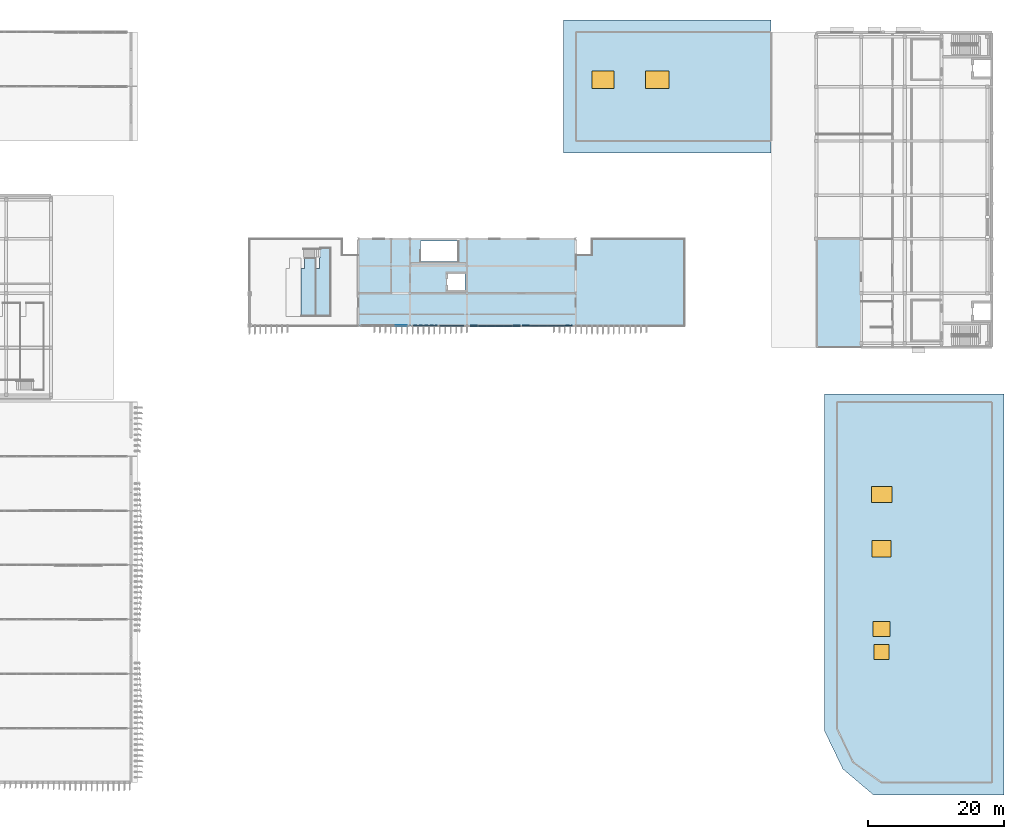
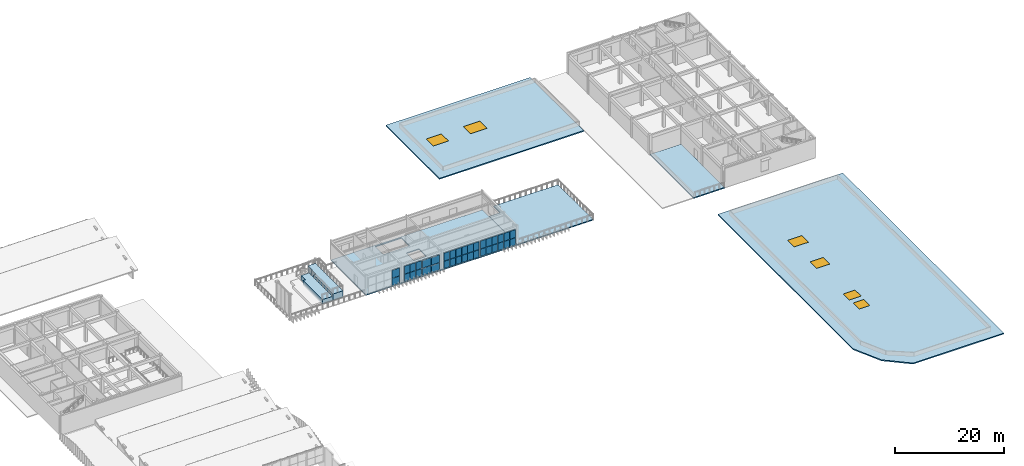
# One storey, part 23 of 45: 36 plates, 7 slabs, 6 windows, 6 openings, 5 elements without a shape of their own.
"""IFC4 building model written with IfcOpenShell, lengths in metres."""

import ifcopenshell
import ifcopenshell.guid

model = None  # the IFC model being written
_history = None  # IfcOwnerHistory: only IFC2X3 demands one
_inside = {}  # id of a spatial element -> (the spatial element, [elements in it])
_under = {}  # id of a project, library or spatial element -> (it, [spatial elements below it])
_declared = {}  # id of a project -> (the project, [libraries it declares])
_typed = {}  # id of a type object -> (the type object, [elements of that type])
_made_of = {}  # id of a material, layer set ... -> (it, [elements and type objects made of it])


def new_model(schema):
    """Start an empty IFC model of exactly this schema.

    Asked for "IFC4X3", IfcOpenShell would pick the latest addendum, in which some entities
    have other attributes; the version numbers below select the first issue.
    IFC2X3 requires an IfcOwnerHistory on every rooted entity: one is made here for all.
    """
    global model, _history
    if schema == "IFC4X3":
        model = ifcopenshell.file(schema_version=(4, 3, 0, 0))
    else:
        model = ifcopenshell.file(schema=schema)
    _inside.clear()
    _under.clear()
    _declared.clear()
    _typed.clear()
    _made_of.clear()
    _history = None
    if model.schema == "IFC2X3":
        org = make("IfcOrganization", Name="unknown")
        user = make(
            "IfcPersonAndOrganization",
            ThePerson=make("IfcPerson", FamilyName="unknown"),
            TheOrganization=org,
        )
        app = make(
            "IfcApplication",
            ApplicationDeveloper=org,
            Version="unknown",
            ApplicationFullName="unknown",
            ApplicationIdentifier="unknown",
        )
        _history = make(
            "IfcOwnerHistory",
            OwningUser=user,
            OwningApplication=app,
            ChangeAction="ADDED",
            CreationDate=0,
        )
    return model


def make(cls, **values):
    """One entity of the class cls with the attributes given. An attribute that is None is left unset."""
    return model.create_entity(
        cls, **{name: value for name, value in values.items() if value is not None}
    )


def rooted(cls, **values):
    """An entity with a GlobalId (a new one), such as an element, a storey or a relation."""
    return make(cls, GlobalId=ifcopenshell.guid.new(), OwnerHistory=_history, **values)


def si_unit(unit_type, name, prefix=None):
    """IfcSIUnit, for example si_unit("LENGTHUNIT", "METRE", prefix="MILLI")."""
    return make("IfcSIUnit", UnitType=unit_type, Prefix=prefix, Name=name)


def assignment(units):
    """IfcUnitAssignment: the units of a project."""
    return None if units is None else make("IfcUnitAssignment", Units=units)


def point(xyz):
    """IfcCartesianPoint."""
    return None if xyz is None else make("IfcCartesianPoint", Coordinates=xyz)


def direction(xyz):
    """IfcDirection."""
    return None if xyz is None else make("IfcDirection", DirectionRatios=xyz)


def frame(location, z_axis=None, x_axis=None):
    """IfcAxis2Placement3D, a coordinate frame: its origin and axes. An axis left out is left unset."""
    return make(
        "IfcAxis2Placement3D",
        Location=point(location),
        Axis=direction(z_axis),
        RefDirection=direction(x_axis),
    )


def frame_2d(location, x_axis=None):
    """IfcAxis2Placement2D, a coordinate frame in the plane: its origin and x axis."""
    return make(
        "IfcAxis2Placement2D", Location=point(location), RefDirection=direction(x_axis)
    )


def origin():
    """The frame at (0, 0, 0) with its axes left unset."""
    return frame((0.0, 0.0, 0.0))


def origin_2d():
    """The frame at (0, 0) in the plane with its x axis left unset."""
    return frame_2d((0.0, 0.0))


def place(relative_to, where):
    """IfcLocalPlacement: puts the frame where relative to a parent placement (None: the world)."""
    return make(
        "IfcLocalPlacement", PlacementRelTo=relative_to, RelativePlacement=where
    )


def context(
    kind, dimensions, precision=None, world=None, true_north=None, identifier=None
):
    """IfcGeometricRepresentationContext, for example the 3D "Model" context."""
    return make(
        "IfcGeometricRepresentationContext",
        ContextIdentifier=identifier,
        ContextType=kind,
        CoordinateSpaceDimension=dimensions,
        Precision=precision,
        WorldCoordinateSystem=world,
        TrueNorth=true_north,
    )


def subcontext(parent, identifier, kind, view, scale=None):
    """IfcGeometricRepresentationSubContext, for example "Body" below "Model"."""
    return make(
        "IfcGeometricRepresentationSubContext",
        ContextIdentifier=identifier,
        ContextType=kind,
        ParentContext=parent,
        TargetScale=scale,
        TargetView=view,
    )


def project(units=None, contexts=None):
    """IfcProject with its units and contexts."""
    return rooted(
        "IfcProject",
        Name="project",
        RepresentationContexts=contexts,
        UnitsInContext=assignment(units),
    )


def spatial(cls, under=None, at=None, **own):
    """A site, building, storey or space (cls), placed at a placement, below another one or the project."""
    s = rooted(cls, ObjectPlacement=at, **own)
    if under is not None:
        _under.setdefault(under.id(), (under, []))[1].append(s)
    return s


def polyline(points):
    """IfcPolyline through the points."""
    return make("IfcPolyline", Points=[point(p) for p in points])


def profile(cls, at=None, kind="AREA", **sizes):
    """A parametric profile (cls). Its sizes go by their IFC names, for example OverallWidth=200.0."""
    return make(cls, ProfileType=kind, Position=at, **sizes)


def rectangle(**sizes):
    """IfcRectangleProfileDef."""
    return profile("IfcRectangleProfileDef", **sizes)


def outline(outer, holes=None, kind="AREA"):
    """IfcArbitraryClosedProfileDef: a profile drawn as a closed curve; with holes, ...WithVoids."""
    if holes is None:
        return make("IfcArbitraryClosedProfileDef", ProfileType=kind, OuterCurve=outer)
    return make(
        "IfcArbitraryProfileDefWithVoids",
        ProfileType=kind,
        OuterCurve=outer,
        InnerCurves=holes,
    )


def extrude(swept, where, along, depth):
    """IfcExtrudedAreaSolid: the profile swept, set in the frame where, extruded along a direction by depth."""
    return make(
        "IfcExtrudedAreaSolid",
        SweptArea=swept,
        Position=where,
        ExtrudedDirection=direction(along),
        Depth=depth,
    )


def shape(context_of_items, identifier, shape_type, items):
    """IfcShapeRepresentation: the items that make up one representation, for example the "Body"."""
    return make(
        "IfcShapeRepresentation",
        ContextOfItems=context_of_items,
        RepresentationIdentifier=identifier,
        RepresentationType=shape_type,
        Items=items,
    )


def material(Name=None, Category=None):
    """IfcMaterial."""
    return make("IfcMaterial", Name=Name, Category=Category)


def layer(
    of_material, thickness, ventilated=None, Name=None, Category=None, Priority=None
):
    """IfcMaterialLayer: one layer of a wall or slab, of a material (None: an air gap)."""
    return make(
        "IfcMaterialLayer",
        Material=of_material,
        LayerThickness=thickness,
        IsVentilated=ventilated,
        Name=Name,
        Category=Category,
        Priority=Priority,
    )


def layer_set(layers, Name=None):
    """IfcMaterialLayerSet."""
    return make("IfcMaterialLayerSet", MaterialLayers=layers, LayerSetName=Name)


def made_of(thing, what):
    """Note that an element or type object is made of a material, layer set ...; save() writes the relation."""
    if what is not None:
        _made_of.setdefault(what.id(), (what, []))[1].append(thing)
    return thing


def type_object(cls, material=None, **own):
    """A type object (cls), such as IfcWallType, which elements share."""
    return made_of(rooted(cls, **own), material)


def element(
    cls,
    number,
    at=None,
    inside=None,
    cuts=None,
    type_object=None,
    material=None,
    context=None,
    identifier="Body",
    shape_type=None,
    held_by="IfcProductDefinitionShape",
    body=None,
    shapes=None,
    **own,
):
    """One element of the class cls, such as IfcWall. Its Tag is "e" and its number.

    at: its placement. inside: the storey or other place that contains it. cuts: it is an
    opening in that element (IfcRelVoidsElement). A single representation is given by context,
    identifier, shape_type and body (its items); several are given by shapes. held_by: the class
    of the entity that holds the representations. save() writes the other relations.
    """
    e = rooted(cls, Tag="e%d" % number, ObjectPlacement=at, **own)
    if body is not None:
        shapes = [shape(context, identifier, shape_type, body)]
    if shapes is not None:
        e.Representation = make(held_by, Representations=shapes)
    if inside is not None:
        _inside.setdefault(inside.id(), (inside, []))[1].append(e)
    if cuts is not None:
        rooted(
            "IfcRelVoidsElement", RelatingBuildingElement=cuts, RelatedOpeningElement=e
        )
    if type_object is not None:
        _typed.setdefault(type_object.id(), (type_object, []))[1].append(e)
    return made_of(e, material)


def fill(opening, filler):
    """IfcRelFillsElement: the door or window that sits in an opening."""
    return rooted(
        "IfcRelFillsElement",
        RelatingOpeningElement=opening,
        RelatedBuildingElement=filler,
    )


def aggregate(whole, parts):
    """IfcRelAggregates: a whole, such as a stair, and the parts it consists of."""
    return rooted("IfcRelAggregates", RelatingObject=whole, RelatedObjects=parts)


def save(model, path):
    """Write the relations noted so far, then the file.

    IfcRelAggregates (storeys below a building ...), IfcRelContainedInSpatialStructure (elements
    in a storey), IfcRelDefinesByType, IfcRelAssociatesMaterial and IfcRelDeclares: one each for
    every whole, place, type object, material and project.
    """
    for whole, parts in _under.values():
        aggregate(whole, parts)
    for where, things in _inside.values():
        rooted(
            "IfcRelContainedInSpatialStructure",
            RelatedElements=things,
            RelatingStructure=where,
        )
    for kind, things in _typed.values():
        rooted("IfcRelDefinesByType", RelatedObjects=things, RelatingType=kind)
    for what, things in _made_of.values():
        rooted("IfcRelAssociatesMaterial", RelatedObjects=things, RelatingMaterial=what)
    for by, libraries in _declared.values():
        rooted("IfcRelDeclares", RelatingContext=by, RelatedDefinitions=libraries)
    model.write(path)


model = new_model("IFC4")

# Units and contexts
model_context = context("Model", 3, precision=1e-05, world=origin(), true_north=direction((0.0, 1.0)))
body_context = subcontext(model_context, "Body", "Model", "MODEL_VIEW")
ifc_project = project(units=[si_unit("LENGTHUNIT", "METRE"), si_unit("AREAUNIT", "SQUARE_METRE"), si_unit("VOLUMEUNIT", "CUBIC_METRE"), si_unit("PLANEANGLEUNIT", "RADIAN"), si_unit("MASSUNIT", "GRAM", prefix="KILO")], contexts=[model_context])

# Site, building, storey
site_placement = place(None, origin())
site = spatial("IfcSite", under=ifc_project, at=site_placement, CompositionType="ELEMENT")
building_placement = place(site_placement, origin())
building = spatial("IfcBuilding", under=site, at=building_placement, Name="Cinchona Park Media Centre", CompositionType="ELEMENT")
storey_placement = place(building_placement, frame((0.0, 0.0, 20.39990234375)))
storey = spatial("IfcBuildingStorey", under=building, at=storey_placement, Name="L04", CompositionType="ELEMENT", Elevation=20.39990234375)

# Curtain wall, plates
ifc_material_1 = material(Name="Aluminium Curtain Wall Framing", Category="aluminium")
ifc_layer_1 = layer(ifc_material_1, 0.284912109375)
ifc_layer_set_1 = layer_set([ifc_layer_1], Name="Aluminium Curtain Wall Framing")
curtain_wall_type_1 = type_object("IfcCurtainWallType", Name="CW-CW08", PredefinedType="USERDEFINED", material=ifc_layer_set_1)
curtain_wall_1_placement = place(storey_placement, origin())
curtain_wall_1 = element("IfcCurtainWall", 1, at=curtain_wall_1_placement, inside=storey, type_object=curtain_wall_type_1, Name="Curtain Wall CW08 L04", ObjectType="UNITISED CURTAIN WALL", PredefinedType="USERDEFINED")
ifc_material_2 = material(Name="Insulated Acoustic Aluminium-Glass Spandrel Cassette", Category="aluminium")
ifc_layer_2 = layer(ifc_material_2, 0.1298828125)
ifc_layer_set_2 = layer_set([ifc_layer_2], Name="Insulated Acoustic Aluminium-Glass Spandrel Cassette")
plate_type_1 = type_object("IfcPlateType", Name="CWPANEL-PNL12", PredefinedType="CURTAIN_PANEL", material=ifc_layer_set_2)
plate_1_placement = place(storey_placement, frame((85.117431640625, 74.800048828125, 0.1201171875), z_axis=(0.0, 0.0, 1.0), x_axis=(-1.0, 0.0, 0.0)))
plate_1 = element("IfcPlate", 2, at=plate_1_placement, type_object=plate_type_1, Name="CW08 panel 1.1", PredefinedType="CURTAIN_PANEL", context=body_context, shape_type="SweptSolid", body=[
    extrude(rectangle(XDim=1.5849609375, YDim=0.1298828125, at=origin_2d()), origin(), (0.0, 0.0, 1.0), 1.60888671875),
])
plate_2_placement = place(storey_placement, frame((85.117431640625, 74.800048828125, 1.799072265625), z_axis=(0.0, 0.0, 1.0), x_axis=(-1.0, 0.0, 0.0)))
plate_2 = element("IfcPlate", 3, at=plate_2_placement, type_object=plate_type_1, Name="CW08 panel 1.2", PredefinedType="CURTAIN_PANEL", context=body_context, shape_type="SweptSolid", body=[
    extrude(rectangle(XDim=1.5849609375, YDim=0.1298828125, at=origin_2d()), origin(), (0.0, 0.0, 1.0), 1.7509765625),
])
aggregate(curtain_wall_1, [plate_1, plate_2])

ifc_material_3 = material(Name="Aluminium Curtain Wall Framing", Category="aluminium")
ifc_layer_3 = layer(ifc_material_3, 0.300048828125)
ifc_layer_set_3 = layer_set([ifc_layer_3], Name="Aluminium Curtain Wall Framing")
curtain_wall_type_2 = type_object("IfcCurtainWallType", Name="CW-CW09", PredefinedType="USERDEFINED", material=ifc_layer_set_3)
curtain_wall_2_placement = place(storey_placement, origin())
curtain_wall_2 = element("IfcCurtainWall", 4, at=curtain_wall_2_placement, inside=storey, type_object=curtain_wall_type_2, Name="Curtain Wall CW09 L04", ObjectType="UNITISED CURTAIN WALL", PredefinedType="USERDEFINED")
ifc_material_4 = material(Name="Insulated Acoustic Aluminium-Glass Spandrel Cassette", Category="aluminium")
ifc_layer_4 = layer(ifc_material_4, 0.14990234375)
ifc_layer_set_4 = layer_set([ifc_layer_4], Name="Insulated Acoustic Aluminium-Glass Spandrel Cassette")
plate_type_2 = type_object("IfcPlateType", Name="CWPANEL-PNL14", PredefinedType="CURTAIN_PANEL", material=ifc_layer_set_4)
plate_3_placement = place(storey_placement, frame((93.436279296875, 74.800048828125, 0.125), z_axis=(0.0, 0.0, 1.0), x_axis=(-1.0, 0.0, 0.0)))
plate_3 = element("IfcPlate", 5, at=plate_3_placement, type_object=plate_type_2, Name="CW09 panel 1.1", PredefinedType="CURTAIN_PANEL", context=body_context, shape_type="SweptSolid", body=[
    extrude(rectangle(XDim=1.737548828125, YDim=0.14990234375, at=origin_2d()), origin(), (0.0, 0.0, 1.0), 1.6015625),
])
plate_4_placement = place(storey_placement, frame((93.436279296875, 74.800048828125, 1.8017578125), z_axis=(0.0, 0.0, 1.0), x_axis=(-1.0, 0.0, 0.0)))
plate_4 = element("IfcPlate", 6, at=plate_4_placement, type_object=plate_type_2, Name="CW09 panel 1.2", PredefinedType="CURTAIN_PANEL", context=body_context, shape_type="SweptSolid", body=[
    extrude(rectangle(XDim=1.737548828125, YDim=0.14990234375, at=origin_2d()), origin(), (0.0, 0.0, 1.0), 1.743408203125),
])
plate_5_placement = place(storey_placement, frame((91.623779296875, 74.800048828125, 0.125), z_axis=(0.0, 0.0, 1.0), x_axis=(-1.0, 0.0, 0.0)))
plate_5 = element("IfcPlate", 7, at=plate_5_placement, type_object=plate_type_2, Name="CW09 panel 2.1", PredefinedType="CURTAIN_PANEL", context=body_context, shape_type="SweptSolid", body=[
    extrude(rectangle(XDim=1.737548828125, YDim=0.14990234375, at=origin_2d()), origin(), (0.0, 0.0, 1.0), 1.6015625),
])
plate_6_placement = place(storey_placement, frame((91.623779296875, 74.800048828125, 1.8017578125), z_axis=(0.0, 0.0, 1.0), x_axis=(-1.0, 0.0, 0.0)))
plate_6 = element("IfcPlate", 8, at=plate_6_placement, type_object=plate_type_2, Name="CW09 panel 2.2", PredefinedType="CURTAIN_PANEL", context=body_context, shape_type="SweptSolid", body=[
    extrude(rectangle(XDim=1.737548828125, YDim=0.14990234375, at=origin_2d()), origin(), (0.0, 0.0, 1.0), 1.743408203125),
])
aggregate(curtain_wall_2, [plate_3, plate_4, plate_5, plate_6])

ifc_material_5 = material(Name="Aluminium Curtain Wall Framing", Category="aluminium")
ifc_layer_5 = layer(ifc_material_5, 0.179931640625)
ifc_layer_set_5 = layer_set([ifc_layer_5], Name="Aluminium Curtain Wall Framing")
curtain_wall_type_3 = type_object("IfcCurtainWallType", Name="CW-CW01", PredefinedType="USERDEFINED", material=ifc_layer_set_5)
curtain_wall_3_placement = place(storey_placement, origin())
curtain_wall_3 = element("IfcCurtainWall", 9, at=curtain_wall_3_placement, inside=storey, type_object=curtain_wall_type_3, Name="Curtain Wall CW01 L04", ObjectType="UNITISED CURTAIN WALL", PredefinedType="USERDEFINED")
ifc_material_6 = material(Name="Insulated Acoustic Aluminium-Glass Spandrel Cassette", Category="aluminium")
ifc_layer_6 = layer(ifc_material_6, 0.169921875)
ifc_layer_set_6 = layer_set([ifc_layer_6], Name="Insulated Acoustic Aluminium-Glass Spandrel Cassette")
plate_type_3 = type_object("IfcPlateType", Name="CWPANEL-PNL16", PredefinedType="CURTAIN_PANEL", material=ifc_layer_set_6)
plate_7_placement = place(storey_placement, frame((89.884521484375, 74.800048828125, 0.125), z_axis=(0.0, 0.0, 1.0), x_axis=(-1.0, 0.0, 0.0)))
plate_7 = element("IfcPlate", 10, at=plate_7_placement, type_object=plate_type_3, Name="CW01 panel 1.1", PredefinedType="CURTAIN_PANEL", context=body_context, shape_type="SweptSolid", body=[
    extrude(rectangle(XDim=1.120849609375, YDim=0.169921875, at=origin_2d()), origin(), (0.0, 0.0, 1.0), 1.6015625),
])
plate_8_placement = place(storey_placement, frame((89.884521484375, 74.800048828125, 1.8017578125), z_axis=(0.0, 0.0, 1.0), x_axis=(-1.0, 0.0, 0.0)))
plate_8 = element("IfcPlate", 11, at=plate_8_placement, type_object=plate_type_3, Name="CW01 panel 1.2", PredefinedType="CURTAIN_PANEL", context=body_context, shape_type="SweptSolid", body=[
    extrude(rectangle(XDim=1.120849609375, YDim=0.169921875, at=origin_2d()), origin(), (0.0, 0.0, 1.0), 1.743408203125),
])
plate_9_placement = place(storey_placement, frame((88.669921875, 74.800048828125, 0.125), z_axis=(0.0, 0.0, 1.0), x_axis=(-1.0, 0.0, 0.0)))
plate_9 = element("IfcPlate", 12, at=plate_9_placement, type_object=plate_type_3, Name="CW01 panel 2.1", PredefinedType="CURTAIN_PANEL", context=body_context, shape_type="SweptSolid", body=[
    extrude(rectangle(XDim=1.158447265625, YDim=0.169921875, at=origin_2d()), origin(), (0.0, 0.0, 1.0), 1.6015625),
])
plate_10_placement = place(storey_placement, frame((88.669921875, 74.800048828125, 1.8017578125), z_axis=(0.0, 0.0, 1.0), x_axis=(-1.0, 0.0, 0.0)))
plate_10 = element("IfcPlate", 13, at=plate_10_placement, type_object=plate_type_3, Name="CW01 panel 2.2", PredefinedType="CURTAIN_PANEL", context=body_context, shape_type="SweptSolid", body=[
    extrude(rectangle(XDim=1.158447265625, YDim=0.169921875, at=origin_2d()), origin(), (0.0, 0.0, 1.0), 1.743408203125),
])
plate_11_placement = place(storey_placement, frame((87.455322265625, 74.800048828125, 0.125), z_axis=(0.0, 0.0, 1.0), x_axis=(-1.0, 0.0, 0.0)))
plate_11 = element("IfcPlate", 14, at=plate_11_placement, type_object=plate_type_3, Name="CW01 panel 3.1", PredefinedType="CURTAIN_PANEL", context=body_context, shape_type="SweptSolid", body=[
    extrude(rectangle(XDim=1.120849609375, YDim=0.169921875, at=origin_2d()), origin(), (0.0, 0.0, 1.0), 1.6015625),
])
plate_12_placement = place(storey_placement, frame((87.455322265625, 74.800048828125, 1.8017578125), z_axis=(0.0, 0.0, 1.0), x_axis=(-1.0, 0.0, 0.0)))
plate_12 = element("IfcPlate", 15, at=plate_12_placement, type_object=plate_type_3, Name="CW01 panel 3.2", PredefinedType="CURTAIN_PANEL", context=body_context, shape_type="SweptSolid", body=[
    extrude(rectangle(XDim=1.120849609375, YDim=0.169921875, at=origin_2d()), origin(), (0.0, 0.0, 1.0), 1.743408203125),
])
aggregate(curtain_wall_3, [plate_7, plate_8, plate_9, plate_10, plate_11, plate_12])

ifc_material_7 = material(Name="Aluminium Curtain Wall Framing", Category="aluminium")
ifc_layer_7 = layer(ifc_material_7, 0.195068359375)
ifc_layer_set_7 = layer_set([ifc_layer_7], Name="Aluminium Curtain Wall Framing")
curtain_wall_type_4 = type_object("IfcCurtainWallType", Name="CW-CW02", PredefinedType="USERDEFINED", material=ifc_layer_set_7)
curtain_wall_4_placement = place(storey_placement, origin())
curtain_wall_4 = element("IfcCurtainWall", 16, at=curtain_wall_4_placement, inside=storey, type_object=curtain_wall_type_4, Name="Curtain Wall CW02 L04", ObjectType="UNITISED CURTAIN WALL", PredefinedType="USERDEFINED")
ifc_material_8 = material(Name="Insulated Acoustic Aluminium-Glass Spandrel Cassette", Category="aluminium")
ifc_layer_8 = layer(ifc_material_8, 0.179931640625)
ifc_layer_set_8 = layer_set([ifc_layer_8], Name="Insulated Acoustic Aluminium-Glass Spandrel Cassette")
plate_type_4 = type_object("IfcPlateType", Name="CWPANEL-PNL17", PredefinedType="CURTAIN_PANEL", material=ifc_layer_set_8)
plate_13_placement = place(storey_placement, frame((109.737548828125, 74.800048828125, 0.1201171875), z_axis=(0.0, 0.0, 1.0), x_axis=(-1.0, 0.0, 0.0)))
plate_13 = element("IfcPlate", 17, at=plate_13_placement, type_object=plate_type_4, Name="CW02 panel 1.1", PredefinedType="CURTAIN_PANEL", context=body_context, shape_type="SweptSolid", body=[
    extrude(rectangle(XDim=1.14501953125, YDim=0.179931640625, at=origin_2d()), origin(), (0.0, 0.0, 1.0), 1.60888671875),
])
plate_14_placement = place(storey_placement, frame((109.737548828125, 74.800048828125, 1.799072265625), z_axis=(0.0, 0.0, 1.0), x_axis=(-1.0, 0.0, 0.0)))
plate_14 = element("IfcPlate", 18, at=plate_14_placement, type_object=plate_type_4, Name="CW02 panel 1.2", PredefinedType="CURTAIN_PANEL", context=body_context, shape_type="SweptSolid", body=[
    extrude(rectangle(XDim=1.14501953125, YDim=0.179931640625, at=origin_2d()), origin(), (0.0, 0.0, 1.0), 1.7509765625),
])
plate_15_placement = place(storey_placement, frame((108.5048828125, 74.800048828125, 0.1201171875), z_axis=(0.0, 0.0, 1.0), x_axis=(-1.0, 0.0, 0.0)))
plate_15 = element("IfcPlate", 19, at=plate_15_placement, type_object=plate_type_4, Name="CW02 panel 2.1", PredefinedType="CURTAIN_PANEL", context=body_context, shape_type="SweptSolid", body=[
    extrude(rectangle(XDim=1.179931640625, YDim=0.179931640625, at=origin_2d()), origin(), (0.0, 0.0, 1.0), 1.60888671875),
])
plate_16_placement = place(storey_placement, frame((108.5048828125, 74.800048828125, 1.799072265625), z_axis=(0.0, 0.0, 1.0), x_axis=(-1.0, 0.0, 0.0)))
plate_16 = element("IfcPlate", 20, at=plate_16_placement, type_object=plate_type_4, Name="CW02 panel 2.2", PredefinedType="CURTAIN_PANEL", context=body_context, shape_type="SweptSolid", body=[
    extrude(rectangle(XDim=1.179931640625, YDim=0.179931640625, at=origin_2d()), origin(), (0.0, 0.0, 1.0), 1.7509765625),
])
plate_17_placement = place(storey_placement, frame((107.2548828125, 74.800048828125, 0.1201171875), z_axis=(0.0, 0.0, 1.0), x_axis=(-1.0, 0.0, 0.0)))
plate_17 = element("IfcPlate", 21, at=plate_17_placement, type_object=plate_type_4, Name="CW02 panel 3.1", PredefinedType="CURTAIN_PANEL", context=body_context, shape_type="SweptSolid", body=[
    extrude(rectangle(XDim=1.179931640625, YDim=0.179931640625, at=origin_2d()), origin(), (0.0, 0.0, 1.0), 1.60888671875),
])
plate_18_placement = place(storey_placement, frame((107.2548828125, 74.800048828125, 1.799072265625), z_axis=(0.0, 0.0, 1.0), x_axis=(-1.0, 0.0, 0.0)))
plate_18 = element("IfcPlate", 22, at=plate_18_placement, type_object=plate_type_4, Name="CW02 panel 3.2", PredefinedType="CURTAIN_PANEL", context=body_context, shape_type="SweptSolid", body=[
    extrude(rectangle(XDim=1.179931640625, YDim=0.179931640625, at=origin_2d()), origin(), (0.0, 0.0, 1.0), 1.7509765625),
])
plate_19_placement = place(storey_placement, frame((106.0048828125, 74.800048828125, 0.1201171875), z_axis=(0.0, 0.0, 1.0), x_axis=(-1.0, 0.0, 0.0)))
plate_19 = element("IfcPlate", 23, at=plate_19_placement, type_object=plate_type_4, Name="CW02 panel 4.1", PredefinedType="CURTAIN_PANEL", context=body_context, shape_type="SweptSolid", body=[
    extrude(rectangle(XDim=1.179931640625, YDim=0.179931640625, at=origin_2d()), origin(), (0.0, 0.0, 1.0), 1.60888671875),
])
plate_20_placement = place(storey_placement, frame((106.0048828125, 74.800048828125, 1.799072265625), z_axis=(0.0, 0.0, 1.0), x_axis=(-1.0, 0.0, 0.0)))
plate_20 = element("IfcPlate", 24, at=plate_20_placement, type_object=plate_type_4, Name="CW02 panel 4.2", PredefinedType="CURTAIN_PANEL", context=body_context, shape_type="SweptSolid", body=[
    extrude(rectangle(XDim=1.179931640625, YDim=0.179931640625, at=origin_2d()), origin(), (0.0, 0.0, 1.0), 1.7509765625),
])
plate_21_placement = place(storey_placement, frame((104.7548828125, 74.800048828125, 0.1201171875), z_axis=(0.0, 0.0, 1.0), x_axis=(-1.0, 0.0, 0.0)))
plate_21 = element("IfcPlate", 25, at=plate_21_placement, type_object=plate_type_4, Name="CW02 panel 5.1", PredefinedType="CURTAIN_PANEL", context=body_context, shape_type="SweptSolid", body=[
    extrude(rectangle(XDim=1.179931640625, YDim=0.179931640625, at=origin_2d()), origin(), (0.0, 0.0, 1.0), 1.60888671875),
])
plate_22_placement = place(storey_placement, frame((104.7548828125, 74.800048828125, 1.799072265625), z_axis=(0.0, 0.0, 1.0), x_axis=(-1.0, 0.0, 0.0)))
plate_22 = element("IfcPlate", 26, at=plate_22_placement, type_object=plate_type_4, Name="CW02 panel 5.2", PredefinedType="CURTAIN_PANEL", context=body_context, shape_type="SweptSolid", body=[
    extrude(rectangle(XDim=1.179931640625, YDim=0.179931640625, at=origin_2d()), origin(), (0.0, 0.0, 1.0), 1.7509765625),
])
plate_23_placement = place(storey_placement, frame((103.5224609375, 74.800048828125, 0.1201171875), z_axis=(0.0, 0.0, 1.0), x_axis=(-1.0, 0.0, 0.0)))
plate_23 = element("IfcPlate", 27, at=plate_23_placement, type_object=plate_type_4, Name="CW02 panel 6.1", PredefinedType="CURTAIN_PANEL", context=body_context, shape_type="SweptSolid", body=[
    extrude(rectangle(XDim=1.14501953125, YDim=0.179931640625, at=origin_2d()), origin(), (0.0, 0.0, 1.0), 1.60888671875),
])
plate_24_placement = place(storey_placement, frame((103.5224609375, 74.800048828125, 1.799072265625), z_axis=(0.0, 0.0, 1.0), x_axis=(-1.0, 0.0, 0.0)))
plate_24 = element("IfcPlate", 28, at=plate_24_placement, type_object=plate_type_4, Name="CW02 panel 6.2", PredefinedType="CURTAIN_PANEL", context=body_context, shape_type="SweptSolid", body=[
    extrude(rectangle(XDim=1.14501953125, YDim=0.179931640625, at=origin_2d()), origin(), (0.0, 0.0, 1.0), 1.7509765625),
])
aggregate(curtain_wall_4, [plate_13, plate_14, plate_15, plate_16, plate_17, plate_18, plate_19, plate_20, plate_21, plate_22, plate_23, plate_24])

ifc_material_9 = material(Name="Aluminium Curtain Wall Framing", Category="aluminium")
ifc_layer_9 = layer(ifc_material_9, 0.2099609375)
ifc_layer_set_9 = layer_set([ifc_layer_9], Name="Aluminium Curtain Wall Framing")
curtain_wall_type_5 = type_object("IfcCurtainWallType", Name="CW-CW03", PredefinedType="USERDEFINED", material=ifc_layer_set_9)
curtain_wall_5_placement = place(storey_placement, origin())
curtain_wall_5 = element("IfcCurtainWall", 29, at=curtain_wall_5_placement, inside=storey, type_object=curtain_wall_type_5, Name="Curtain Wall CW03 L04", ObjectType="UNITISED CURTAIN WALL", PredefinedType="USERDEFINED")
ifc_material_10 = material(Name="Insulated Acoustic Aluminium-Glass Spandrel Cassette", Category="aluminium")
ifc_layer_10 = layer(ifc_material_10, 0.199951171875)
ifc_layer_set_10 = layer_set([ifc_layer_10], Name="Insulated Acoustic Aluminium-Glass Spandrel Cassette")
plate_type_5 = type_object("IfcPlateType", Name="CWPANEL-PNL19", PredefinedType="CURTAIN_PANEL", material=ifc_layer_set_10)
plate_25_placement = place(storey_placement, frame((102.077392578125, 74.800048828125, 0.1201171875), z_axis=(0.0, 0.0, 1.0), x_axis=(-1.0, 0.0, 0.0)))
plate_25 = element("IfcPlate", 30, at=plate_25_placement, type_object=plate_type_5, Name="CW03 panel 1.1", PredefinedType="CURTAIN_PANEL", context=body_context, shape_type="SweptSolid", body=[
    extrude(rectangle(XDim=1.14501953125, YDim=0.199951171875, at=origin_2d()), origin(), (0.0, 0.0, 1.0), 1.60888671875),
])
plate_26_placement = place(storey_placement, frame((102.077392578125, 74.800048828125, 1.799072265625), z_axis=(0.0, 0.0, 1.0), x_axis=(-1.0, 0.0, 0.0)))
plate_26 = element("IfcPlate", 31, at=plate_26_placement, type_object=plate_type_5, Name="CW03 panel 1.2", PredefinedType="CURTAIN_PANEL", context=body_context, shape_type="SweptSolid", body=[
    extrude(rectangle(XDim=1.14501953125, YDim=0.199951171875, at=origin_2d()), origin(), (0.0, 0.0, 1.0), 1.7509765625),
])
plate_27_placement = place(storey_placement, frame((100.844970703125, 74.800048828125, 0.1201171875), z_axis=(0.0, 0.0, 1.0), x_axis=(-1.0, 0.0, 0.0)))
plate_27 = element("IfcPlate", 32, at=plate_27_placement, type_object=plate_type_5, Name="CW03 panel 2.1", PredefinedType="CURTAIN_PANEL", context=body_context, shape_type="SweptSolid", body=[
    extrude(rectangle(XDim=1.179931640625, YDim=0.199951171875, at=origin_2d()), origin(), (0.0, 0.0, 1.0), 1.60888671875),
])
plate_28_placement = place(storey_placement, frame((100.844970703125, 74.800048828125, 1.799072265625), z_axis=(0.0, 0.0, 1.0), x_axis=(-1.0, 0.0, 0.0)))
plate_28 = element("IfcPlate", 33, at=plate_28_placement, type_object=plate_type_5, Name="CW03 panel 2.2", PredefinedType="CURTAIN_PANEL", context=body_context, shape_type="SweptSolid", body=[
    extrude(rectangle(XDim=1.179931640625, YDim=0.199951171875, at=origin_2d()), origin(), (0.0, 0.0, 1.0), 1.7509765625),
])
plate_29_placement = place(storey_placement, frame((99.594970703125, 74.800048828125, 0.1201171875), z_axis=(0.0, 0.0, 1.0), x_axis=(-1.0, 0.0, 0.0)))
plate_29 = element("IfcPlate", 34, at=plate_29_placement, type_object=plate_type_5, Name="CW03 panel 3.1", PredefinedType="CURTAIN_PANEL", context=body_context, shape_type="SweptSolid", body=[
    extrude(rectangle(XDim=1.179931640625, YDim=0.199951171875, at=origin_2d()), origin(), (0.0, 0.0, 1.0), 1.60888671875),
])
plate_30_placement = place(storey_placement, frame((99.594970703125, 74.800048828125, 1.799072265625), z_axis=(0.0, 0.0, 1.0), x_axis=(-1.0, 0.0, 0.0)))
plate_30 = element("IfcPlate", 35, at=plate_30_placement, type_object=plate_type_5, Name="CW03 panel 3.2", PredefinedType="CURTAIN_PANEL", context=body_context, shape_type="SweptSolid", body=[
    extrude(rectangle(XDim=1.179931640625, YDim=0.199951171875, at=origin_2d()), origin(), (0.0, 0.0, 1.0), 1.7509765625),
])
plate_31_placement = place(storey_placement, frame((98.344970703125, 74.800048828125, 0.1201171875), z_axis=(0.0, 0.0, 1.0), x_axis=(-1.0, 0.0, 0.0)))
plate_31 = element("IfcPlate", 36, at=plate_31_placement, type_object=plate_type_5, Name="CW03 panel 4.1", PredefinedType="CURTAIN_PANEL", context=body_context, shape_type="SweptSolid", body=[
    extrude(rectangle(XDim=1.179931640625, YDim=0.199951171875, at=origin_2d()), origin(), (0.0, 0.0, 1.0), 1.60888671875),
])
plate_32_placement = place(storey_placement, frame((98.344970703125, 74.800048828125, 1.799072265625), z_axis=(0.0, 0.0, 1.0), x_axis=(-1.0, 0.0, 0.0)))
plate_32 = element("IfcPlate", 37, at=plate_32_placement, type_object=plate_type_5, Name="CW03 panel 4.2", PredefinedType="CURTAIN_PANEL", context=body_context, shape_type="SweptSolid", body=[
    extrude(rectangle(XDim=1.179931640625, YDim=0.199951171875, at=origin_2d()), origin(), (0.0, 0.0, 1.0), 1.7509765625),
])
plate_33_placement = place(storey_placement, frame((97.094970703125, 74.800048828125, 0.1201171875), z_axis=(0.0, 0.0, 1.0), x_axis=(-1.0, 0.0, 0.0)))
plate_33 = element("IfcPlate", 38, at=plate_33_placement, type_object=plate_type_5, Name="CW03 panel 5.1", PredefinedType="CURTAIN_PANEL", context=body_context, shape_type="SweptSolid", body=[
    extrude(rectangle(XDim=1.179931640625, YDim=0.199951171875, at=origin_2d()), origin(), (0.0, 0.0, 1.0), 1.60888671875),
])
plate_34_placement = place(storey_placement, frame((97.094970703125, 74.800048828125, 1.799072265625), z_axis=(0.0, 0.0, 1.0), x_axis=(-1.0, 0.0, 0.0)))
plate_34 = element("IfcPlate", 39, at=plate_34_placement, type_object=plate_type_5, Name="CW03 panel 5.2", PredefinedType="CURTAIN_PANEL", context=body_context, shape_type="SweptSolid", body=[
    extrude(rectangle(XDim=1.179931640625, YDim=0.199951171875, at=origin_2d()), origin(), (0.0, 0.0, 1.0), 1.7509765625),
])
plate_35_placement = place(storey_placement, frame((95.862548828125, 74.800048828125, 0.1201171875), z_axis=(0.0, 0.0, 1.0), x_axis=(-1.0, 0.0, 0.0)))
plate_35 = element("IfcPlate", 40, at=plate_35_placement, type_object=plate_type_5, Name="CW03 panel 6.1", PredefinedType="CURTAIN_PANEL", context=body_context, shape_type="SweptSolid", body=[
    extrude(rectangle(XDim=1.14501953125, YDim=0.199951171875, at=origin_2d()), origin(), (0.0, 0.0, 1.0), 1.60888671875),
])
plate_36_placement = place(storey_placement, frame((95.862548828125, 74.800048828125, 1.799072265625), z_axis=(0.0, 0.0, 1.0), x_axis=(-1.0, 0.0, 0.0)))
plate_36 = element("IfcPlate", 41, at=plate_36_placement, type_object=plate_type_5, Name="CW03 panel 6.2", PredefinedType="CURTAIN_PANEL", context=body_context, shape_type="SweptSolid", body=[
    extrude(rectangle(XDim=1.14501953125, YDim=0.199951171875, at=origin_2d()), origin(), (0.0, 0.0, 1.0), 1.7509765625),
])
aggregate(curtain_wall_5, [plate_25, plate_26, plate_27, plate_28, plate_29, plate_30, plate_31, plate_32, plate_33, plate_34, plate_35, plate_36])

# Slab, openings, windows
ifc_material_11 = material(Name="Concrete C35/45", Category="concrete")
ifc_layer_11 = layer(ifc_material_11, 0.2451171875)
ifc_layer_set_11 = layer_set([ifc_layer_11], Name="Concrete C35/45")
slab_type_1 = type_object("IfcSlabType", Name="SLAB-RS01-245", PredefinedType="ROOF", material=ifc_layer_set_11)
slab_1_placement = place(storey_placement, frame((0.0, 0.0, -0.244873046875)))
slab_1 = element("IfcSlab", 42, at=slab_1_placement, inside=storey, type_object=slab_type_1, Name="Roof Slab RF-V3-TOP", PredefinedType="ROOF", context=body_context, shape_type="SweptSolid", body=[
    extrude(outline(polyline([(109.0, 100.199951171875), (139.5, 100.199951171875), (139.5, 119.800048828125), (109.0, 119.800048828125), (109.0, 100.199951171875)])), origin(), (0.0, 0.0, 1.0), 0.244873046875),
])
opening_1_placement = place(slab_1_placement, frame((114.800048828125, 111.0, 0.0)))
opening_1 = element("IfcOpeningElement", 43, at=opening_1_placement, cuts=slab_1, Name="Opening SK05", PredefinedType="OPENING", context=body_context, shape_type="SweptSolid", body=[
    extrude(rectangle(XDim=3.199951171875, YDim=2.60009765625, at=origin_2d()), origin(), (0.0, 0.0, 1.0), 0.244873046875),
])
opening_2_placement = place(slab_1_placement, frame((122.800048828125, 111.0, 0.0)))
opening_2 = element("IfcOpeningElement", 44, at=opening_2_placement, cuts=slab_1, Name="Opening SK06", PredefinedType="OPENING", context=body_context, shape_type="SweptSolid", body=[
    extrude(rectangle(XDim=3.5, YDim=2.60009765625, at=origin_2d()), origin(), (0.0, 0.0, 1.0), 0.244873046875),
])
ifc_material_12 = material(Name="Hurricane-Laminated Acoustic Roof Skylight", Category="glass")
window_type_1 = type_object("IfcWindowType", Name="SKY-SK05", PartitioningType="SINGLE_PANEL", PredefinedType="SKYLIGHT", material=ifc_material_12)
window_1_placement = place(opening_1_placement, frame((0.0, 0.0, 0.19482421875)))
window_1 = element("IfcWindow", 45, at=window_1_placement, inside=storey, type_object=window_type_1, Name="Roof Skylight SK05", OverallHeight=2.60009765625, OverallWidth=3.199951171875, PartitioningType="SINGLE_PANEL", PredefinedType="SKYLIGHT", context=body_context, shape_type="SweptSolid", body=[
    extrude(rectangle(XDim=3.199951171875, YDim=2.60009765625, at=origin_2d()), origin(), (0.0, 0.0, 1.0), 0.050048828125),
])
fill(opening_1, window_1)
ifc_material_13 = material(Name="Hurricane-Laminated Acoustic Roof Skylight", Category="glass")
window_type_2 = type_object("IfcWindowType", Name="SKY-SK06", PartitioningType="SINGLE_PANEL", PredefinedType="SKYLIGHT", material=ifc_material_13)
window_2_placement = place(opening_2_placement, frame((0.0, 0.0, 0.19482421875)))
window_2 = element("IfcWindow", 46, at=window_2_placement, inside=storey, type_object=window_type_2, Name="Roof Skylight SK06", OverallHeight=2.60009765625, OverallWidth=3.5, PartitioningType="SINGLE_PANEL", PredefinedType="SKYLIGHT", context=body_context, shape_type="SweptSolid", body=[
    extrude(rectangle(XDim=3.5, YDim=2.60009765625, at=origin_2d()), origin(), (0.0, 0.0, 1.0), 0.050048828125),
])
fill(opening_2, window_2)

slab_2_placement = place(storey_placement, frame((0.0, 0.0, -0.244873046875)))
slab_2 = element("IfcSlab", 47, at=slab_2_placement, inside=storey, type_object=slab_type_1, Name="Roof Slab RF-V6-TOP", PredefinedType="ROOF", context=body_context, shape_type="SweptSolid", body=[
    extrude(outline(polyline([(154.60009765625, 5.800048828125), (173.800048828125, 5.800048828125), (173.800048828125, 64.800048828125), (147.39990234375, 64.800048828125), (147.39990234375, 15.199951171875), (150.10009765625, 9.60009765625), (154.60009765625, 5.800048828125)])), origin(), (0.0, 0.0, 1.0), 0.244873046875),
])
opening_3_placement = place(slab_2_placement, frame((155.800048828125, 26.800048828125, 0.0)))
opening_3 = element("IfcOpeningElement", 48, at=opening_3_placement, cuts=slab_2, Name="Opening SK01", PredefinedType="OPENING", context=body_context, shape_type="SweptSolid", body=[
    extrude(rectangle(XDim=2.199951171875, YDim=2.199951171875, at=origin_2d()), origin(), (0.0, 0.0, 1.0), 0.244873046875),
])
opening_4_placement = place(slab_2_placement, frame((155.800048828125, 30.199951171875, 0.0)))
opening_4 = element("IfcOpeningElement", 49, at=opening_4_placement, cuts=slab_2, Name="Opening SK02", PredefinedType="OPENING", context=body_context, shape_type="SweptSolid", body=[
    extrude(rectangle(XDim=2.5, YDim=2.199951171875, at=origin_2d()), origin(), (0.0, 0.0, 1.0), 0.244873046875),
])
opening_5_placement = place(slab_2_placement, frame((155.800048828125, 42.0, 0.0)))
opening_5 = element("IfcOpeningElement", 50, at=opening_5_placement, cuts=slab_2, Name="Opening SK03", PredefinedType="OPENING", context=body_context, shape_type="SweptSolid", body=[
    extrude(rectangle(XDim=2.800048828125, YDim=2.39990234375, at=origin_2d()), origin(), (0.0, 0.0, 1.0), 0.244873046875),
])
opening_6_placement = place(slab_2_placement, frame((155.800048828125, 50.0, 0.0)))
opening_6 = element("IfcOpeningElement", 51, at=opening_6_placement, cuts=slab_2, Name="Opening SK04", PredefinedType="OPENING", context=body_context, shape_type="SweptSolid", body=[
    extrude(rectangle(XDim=3.0, YDim=2.39990234375, at=origin_2d()), origin(), (0.0, 0.0, 1.0), 0.244873046875),
])
ifc_material_14 = material(Name="Hurricane-Laminated Acoustic Roof Skylight", Category="glass")
window_type_3 = type_object("IfcWindowType", Name="SKY-SK01", PartitioningType="SINGLE_PANEL", PredefinedType="SKYLIGHT", material=ifc_material_14)
window_3_placement = place(opening_3_placement, frame((0.0, 0.0, 0.19482421875)))
window_3 = element("IfcWindow", 52, at=window_3_placement, inside=storey, type_object=window_type_3, Name="Roof Skylight SK01", OverallHeight=2.199951171875, OverallWidth=2.199951171875, PartitioningType="SINGLE_PANEL", PredefinedType="SKYLIGHT", context=body_context, shape_type="SweptSolid", body=[
    extrude(rectangle(XDim=2.199951171875, YDim=2.199951171875, at=origin_2d()), origin(), (0.0, 0.0, 1.0), 0.050048828125),
])
fill(opening_3, window_3)
ifc_material_15 = material(Name="Hurricane-Laminated Acoustic Roof Skylight", Category="glass")
window_type_4 = type_object("IfcWindowType", Name="SKY-SK02", PartitioningType="SINGLE_PANEL", PredefinedType="SKYLIGHT", material=ifc_material_15)
window_4_placement = place(opening_4_placement, frame((0.0, 0.0, 0.19482421875)))
window_4 = element("IfcWindow", 53, at=window_4_placement, inside=storey, type_object=window_type_4, Name="Roof Skylight SK02", OverallHeight=2.199951171875, OverallWidth=2.5, PartitioningType="SINGLE_PANEL", PredefinedType="SKYLIGHT", context=body_context, shape_type="SweptSolid", body=[
    extrude(rectangle(XDim=2.5, YDim=2.199951171875, at=origin_2d()), origin(), (0.0, 0.0, 1.0), 0.050048828125),
])
fill(opening_4, window_4)
ifc_material_16 = material(Name="Hurricane-Laminated Acoustic Roof Skylight", Category="glass")
window_type_5 = type_object("IfcWindowType", Name="SKY-SK03", PartitioningType="SINGLE_PANEL", PredefinedType="SKYLIGHT", material=ifc_material_16)
window_5_placement = place(opening_5_placement, frame((0.0, 0.0, 0.19482421875)))
window_5 = element("IfcWindow", 54, at=window_5_placement, inside=storey, type_object=window_type_5, Name="Roof Skylight SK03", OverallHeight=2.39990234375, OverallWidth=2.800048828125, PartitioningType="SINGLE_PANEL", PredefinedType="SKYLIGHT", context=body_context, shape_type="SweptSolid", body=[
    extrude(rectangle(XDim=2.800048828125, YDim=2.39990234375, at=origin_2d()), origin(), (0.0, 0.0, 1.0), 0.050048828125),
])
fill(opening_5, window_5)
ifc_material_17 = material(Name="Hurricane-Laminated Acoustic Roof Skylight", Category="glass")
window_type_6 = type_object("IfcWindowType", Name="SKY-SK04", PartitioningType="SINGLE_PANEL", PredefinedType="SKYLIGHT", material=ifc_material_17)
window_6_placement = place(opening_6_placement, frame((0.0, 0.0, 0.19482421875)))
window_6 = element("IfcWindow", 55, at=window_6_placement, inside=storey, type_object=window_type_6, Name="Roof Skylight SK04", OverallHeight=2.39990234375, OverallWidth=3.0, PartitioningType="SINGLE_PANEL", PredefinedType="SKYLIGHT", context=body_context, shape_type="SweptSolid", body=[
    extrude(rectangle(XDim=3.0, YDim=2.39990234375, at=origin_2d()), origin(), (0.0, 0.0, 1.0), 0.050048828125),
])
fill(opening_6, window_6)

# Slabs
ifc_material_18 = material(Name="Concrete C35/45", Category="concrete")
ifc_layer_12 = layer(ifc_material_18, 0.219970703125)
ifc_layer_set_12 = layer_set([ifc_layer_12], Name="Concrete C35/45")
slab_type_2 = type_object("IfcSlabType", Name="SLAB-SL08-220", PredefinedType="FLOOR", material=ifc_layer_set_12)
slab_3_placement = place(storey_placement, frame((0.0, 0.0, -0.219970703125)))
element("IfcSlab", 56, at=slab_3_placement, inside=storey, type_object=slab_type_2, Name="Floor Slab V5 L04", PredefinedType="FLOOR", context=body_context, shape_type="SweptSolid", body=[
    extrude(outline(polyline([(78.800048828125, 74.800048828125), (110.800048828125, 74.800048828125), (110.800048828125, 87.60009765625), (78.800048828125, 87.60009765625), (78.800048828125, 74.800048828125)]), holes=[polyline([(87.93505859375, 84.300048828125), (93.5, 84.300048828125), (93.5, 87.300048828125), (87.93505859375, 87.300048828125), (87.93505859375, 84.300048828125)]), polyline([(91.800048828125, 79.89990234375), (94.5, 79.89990234375), (94.5, 82.60009765625), (91.800048828125, 82.60009765625), (91.800048828125, 79.89990234375)])]), origin(), (0.0, 0.0, 1.0), 0.219970703125),
])
ifc_material_19 = material(Name="Concrete C35/45", Category="concrete")
ifc_layer_13 = layer(ifc_material_19, 0.175048828125)
ifc_layer_set_13 = layer_set([ifc_layer_13], Name="Concrete C35/45")
slab_type_3 = type_object("IfcSlabType", Name="SLAB-STIER03-175", PredefinedType="USERDEFINED", material=ifc_layer_set_13)
slab_4_placement = place(storey_placement, origin())
element("IfcSlab", 57, at=slab_4_placement, inside=storey, type_object=slab_type_3, Name="Stand Rooftop Amphitheatre Seating Tier 2", ObjectType="SEATING TIER", PredefinedType="USERDEFINED", context=body_context, shape_type="SweptSolid", body=[
    extrude(outline(polyline([(70.39990234375, 76.199951171875), (72.60009765625, 76.199951171875), (72.60009765625, 84.800048828125), (70.884033203125, 84.800048828125), (70.884033203125, 83.251953125), (70.39990234375, 83.251953125), (70.39990234375, 76.199951171875)])), origin(), (0.0, 0.0, 1.0), 0.960205078125),
])
slab_5_placement = place(storey_placement, origin())
element("IfcSlab", 58, at=slab_5_placement, inside=storey, type_object=slab_type_3, Name="Stand Rooftop Amphitheatre Seating Tier 3", ObjectType="SEATING TIER", PredefinedType="USERDEFINED", context=body_context, shape_type="SweptSolid", body=[
    extrude(outline(polyline([(72.60009765625, 76.199951171875), (74.800048828125, 76.199951171875), (74.800048828125, 86.300048828125), (73.199951171875, 86.300048828125), (73.199951171875, 84.800048828125), (73.083984375, 84.800048828125), (73.083984375, 83.251953125), (72.60009765625, 83.251953125), (72.60009765625, 76.199951171875)])), origin(), (0.0, 0.0, 1.0), 1.440185546875),
])
ifc_material_20 = material(Name="Concrete C35/45", Category="concrete")
ifc_layer_14 = layer(ifc_material_20, 0.215087890625)
ifc_layer_set_14 = layer_set([ifc_layer_14], Name="Concrete C35/45")
slab_type_4 = type_object("IfcSlabType", Name="SLAB-TR01-215", PredefinedType="FLOOR", material=ifc_layer_set_14)
slab_6_placement = place(storey_placement, frame((0.0, 0.0, -0.21484375)))
element("IfcSlab", 59, at=slab_6_placement, inside=storey, type_object=slab_type_4, Name="Rooftop Screen Terrace Slab 2", PredefinedType="FLOOR", context=body_context, shape_type="SweptSolid", body=[
    extrude(outline(polyline([(113.199951171875, 85.199951171875), (113.199951171875, 87.60009765625), (126.800048828125, 87.60009765625), (126.800048828125, 74.800048828125), (110.820068359375, 74.800048828125), (110.820068359375, 85.199951171875), (113.199951171875, 85.199951171875)])), origin(), (0.0, 0.0, 1.0), 0.21484375),
])
slab_7_placement = place(storey_placement, frame((0.0, 0.0, -0.21484375)))
element("IfcSlab", 60, at=slab_7_placement, inside=storey, type_object=slab_type_4, Name="Post-Production Court Terrace Slab L04", PredefinedType="FLOOR", context=body_context, shape_type="SweptSolid", body=[
    extrude(outline(polyline([(146.199951171875, 71.60009765625), (152.780029296875, 71.60009765625), (152.780029296875, 87.580078125), (146.199951171875, 87.580078125), (146.199951171875, 71.60009765625)])), origin(), (0.0, 0.0, 1.0), 0.21484375),
])

save(model, "model.ifc")
